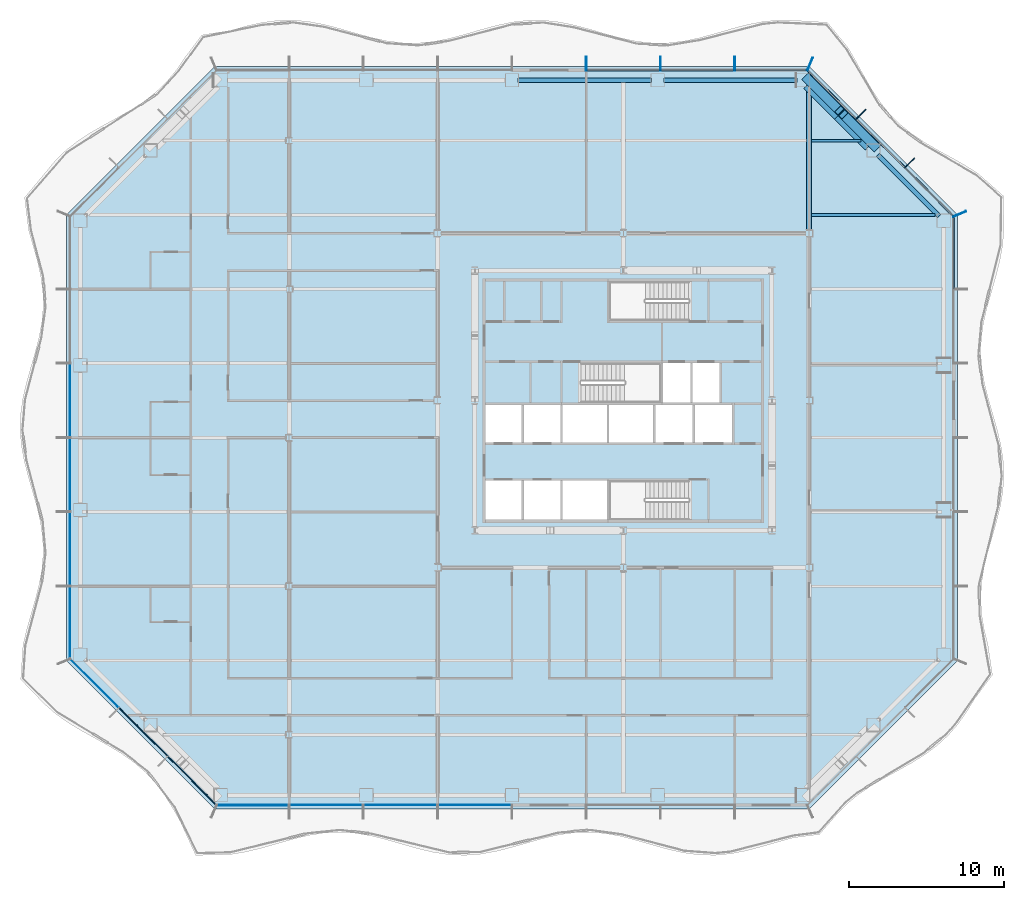
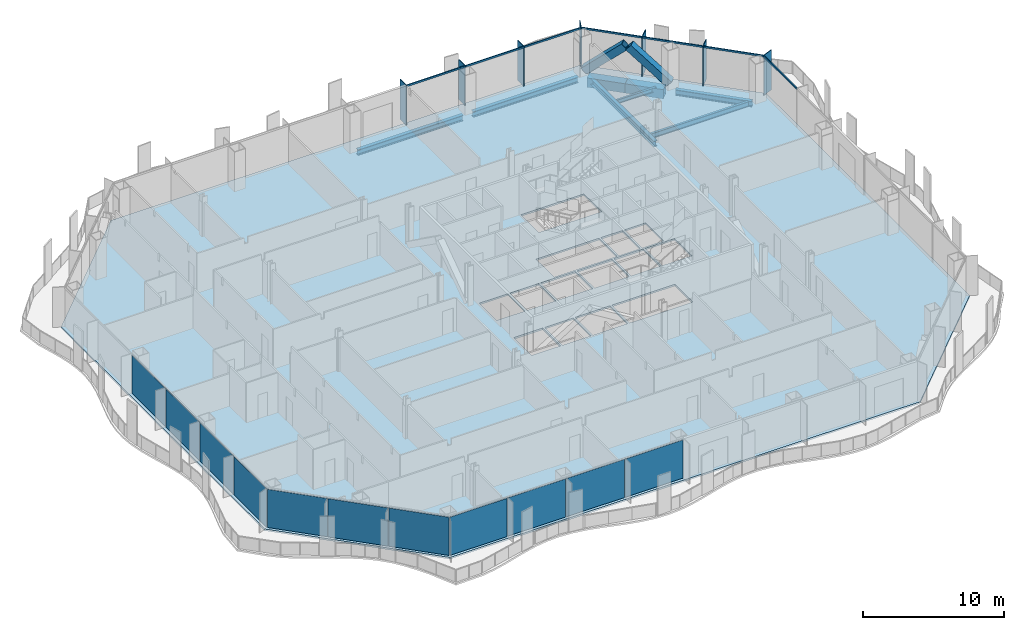
# One storey, part 4 of 17: 16 members, 11 plates, 8 beams, 1 slab, 6 elements without a shape of their own.
"""IFC4 building model written with IfcOpenShell, lengths in metres."""

from ifc_helpers import new_model, si_unit, direction, frame, origin, origin_2d, place, context, subcontext, project, spatial, polyline, rectangle, hollow_rectangle, i_section, outline, extrude, material, layer, layer_set, material_profile, profile_set, type_object, element, aggregate, save


model = new_model("IFC4")

# Units and contexts
model_context = context("Model", 3, precision=1e-05, world=origin(), true_north=direction((0.0, 1.0)))
body_context = subcontext(model_context, "Body", "Model", "MODEL_VIEW")
ifc_project = project(units=[si_unit("LENGTHUNIT", "METRE"), si_unit("AREAUNIT", "SQUARE_METRE"), si_unit("VOLUMEUNIT", "CUBIC_METRE"), si_unit("PLANEANGLEUNIT", "RADIAN"), si_unit("MASSUNIT", "GRAM", prefix="KILO")], contexts=[model_context])

# Site, building, storey
site_placement = place(None, origin())
site = spatial("IfcSite", under=ifc_project, at=site_placement, CompositionType="ELEMENT")
building_placement = place(site_placement, origin())
building = spatial("IfcBuilding", under=site, at=building_placement, Name="Cairn Pilgrim Tower", CompositionType="ELEMENT")
storey_placement = place(building_placement, frame((0.0, 0.0, 79.800048828125)))
storey = spatial("IfcBuildingStorey", under=building, at=storey_placement, Name="L18", CompositionType="ELEMENT", Elevation=79.800048828125)

# Members
ifc_material_1 = material(Name="Structural steel S460M", Category="steel")
ifc_material_profile_1 = material_profile(ifc_material_1, hollow_rectangle(XDim=0.60009765625, YDim=0.60009765625, WallThickness=0.034912109375, at=origin_2d()), Name="BOX 600x600x35")
ifc_profile_set_1 = profile_set([ifc_material_profile_1], Name="Structural steel S460M")
member_type_1 = type_object("IfcMemberType", Name="BOX 600x600x35 BRACE", PredefinedType="BRACE", material=ifc_profile_set_1)
for number, where, z_axis, x_axis, name in (
    (1, (23.4873046875, 18.814697265625, 0.14990234375), (-0.528939327604, 0.528877844478, 0.663710338426), (-0.70706568108, -0.707147878904, 0.0), "XB-NE2-N1-1"),
    (2, (19.078125, 23.2236328125, 0.14990234375), (0.52892212789, -0.52892212789, 0.663688756314), (0.707106781187, 0.707106781187, 0.0), "XB-NE2-N1-2"),
):
    element("IfcMember", number, at=place(storey_placement, frame(where, z_axis=z_axis, x_axis=x_axis)), inside=storey, type_object=member_type_1, Name=name, PredefinedType="BRACE", context=body_context, shape_type="SweptSolid", body=[
        extrude(hollow_rectangle(XDim=0.60009765625, YDim=0.60009765625, WallThickness=0.034912109375, at=origin_2d()), origin(), (0.0, 0.0, 1.0), 3.970947265625),
    ])

# Beams
ifc_material_2 = material(Name="Structural steel S355J2", Category="steel")
ifc_material_profile_2 = material_profile(ifc_material_2, hollow_rectangle(XDim=0.699951171875, YDim=0.800048828125, WallThickness=0.0400390625, at=origin_2d()), Name="BOX 700x800x40")
ifc_profile_set_2 = profile_set([ifc_material_profile_2], Name="Structural steel S355J2")
beam_type_1 = type_object("IfcBeamType", Name="BOX 700x800x40 RING GIRDER", PredefinedType="SPANDREL", material=ifc_profile_set_2)
beam_1_placement = place(storey_placement, frame((23.0771484375, 18.85009765625, -0.550048828125), z_axis=(-0.707106781187, 0.707106781187, 0.0), x_axis=(-0.707106781187, -0.707106781187, 0.0)))
element("IfcBeam", 3, at=beam_1_placement, inside=storey, type_object=beam_type_1, Name="RG1-NE2-N1-1", PredefinedType="SPANDREL", context=body_context, shape_type="SweptSolid", body=[
    extrude(hollow_rectangle(XDim=0.699951171875, YDim=0.800048828125, WallThickness=0.0400390625, at=origin_2d()), origin(), (0.0, 0.0, 1.0), 2.802490234375),
])
beam_2_placement = place(storey_placement, frame((21.095458984375, 20.831787109375, -0.550048828125), z_axis=(-0.707106781187, 0.707106781187, 0.0), x_axis=(-0.707106781187, -0.707106781187, 0.0)))
element("IfcBeam", 4, at=beam_2_placement, inside=storey, type_object=beam_type_1, Name="RG1-NE2-N1-2", PredefinedType="SPANDREL", context=body_context, shape_type="SweptSolid", body=[
    extrude(hollow_rectangle(XDim=0.699951171875, YDim=0.800048828125, WallThickness=0.0400390625, at=origin_2d()), origin(), (0.0, 0.0, 1.0), 2.802978515625),
])

# Curtain wall, members
ifc_material_3 = material(Name="Aluminium alloy 6063-T6 bronze anodised with Bronze tinted laminated low-E glass 8+16+8.8", Category="aluminium")
curtain_wall_type_1 = type_object("IfcCurtainWallType", Name="CHAMFER CORNER CURTAIN WALL", PredefinedType="NOTDEFINED", material=ifc_material_3)
curtain_wall_1_placement = place(storey_placement, origin())
curtain_wall_1 = element("IfcCurtainWall", 5, at=curtain_wall_1_placement, inside=storey, type_object=curtain_wall_type_1, Name="Chamfer Corner Curtain Wall NE", PredefinedType="NOTDEFINED")
ifc_material_4 = material(Name="Aluminium alloy 6063-T6 bronze anodised", Category="aluminium")
ifc_material_profile_3 = material_profile(ifc_material_4, rectangle(XDim=0.89990234375, YDim=0.06005859375, at=origin_2d()), Name="FIN MULLION 60x900 BRONZE")
ifc_profile_set_3 = profile_set([ifc_material_profile_3], Name="Aluminium alloy 6063-T6 bronze anodised")
member_type_2 = type_object("IfcMemberType", Name="FIN MULLION 60x900 BRONZE", PredefinedType="MULLION", material=ifc_profile_set_3)
member_1_placement = place(storey_placement, frame((28.93798828125, 14.457275390625, 0.0), z_axis=(0.0, 0.0, 1.0), x_axis=(0.923879532511, 0.382683432365, 0.0)))
member_1 = element("IfcMember", 6, at=member_1_placement, type_object=member_type_2, Name="Fin mullion NE1", PredefinedType="MULLION", context=body_context, shape_type="SweptSolid", body=[
    extrude(rectangle(XDim=0.89990234375, YDim=0.06005859375, at=origin_2d()), origin(), (0.0, 0.0, 1.0), 3.449951171875),
])
member_2_placement = place(storey_placement, frame((25.69580078125, 17.74462890625, 0.0), z_axis=(0.0, 0.0, 1.0), x_axis=(0.707106781187, 0.707106781187, 0.0)))
member_2 = element("IfcMember", 7, at=member_2_placement, type_object=member_type_2, Name="Fin mullion NE2", PredefinedType="MULLION", context=body_context, shape_type="SweptSolid", body=[
    extrude(rectangle(XDim=0.89990234375, YDim=0.06005859375, at=origin_2d()), origin(), (0.0, 0.0, 1.0), 3.449951171875),
])
member_3_placement = place(storey_placement, frame((22.544677734375, 20.895751953125, 0.0), z_axis=(0.0, 0.0, 1.0), x_axis=(0.707106781187, 0.707106781187, 0.0)))
member_3 = element("IfcMember", 8, at=member_3_placement, type_object=member_type_2, Name="Fin mullion NE3", PredefinedType="MULLION", context=body_context, shape_type="SweptSolid", body=[
    extrude(rectangle(XDim=0.89990234375, YDim=0.06005859375, at=origin_2d()), origin(), (0.0, 0.0, 1.0), 3.449951171875),
])

curtain_wall_type_2 = type_object("IfcCurtainWallType", Name="TOWER STICK CURTAIN WALL NS", PredefinedType="NOTDEFINED", material=ifc_material_3)
curtain_wall_2_placement = place(storey_placement, origin())
curtain_wall_2 = element("IfcCurtainWall", 9, at=curtain_wall_2_placement, inside=storey, type_object=curtain_wall_type_2, Name="Tower Stick Curtain Wall Ns N", PredefinedType="NOTDEFINED")
member_4_placement = place(storey_placement, frame((19.257080078125, 24.137939453125, 0.0), z_axis=(0.0, 0.0, 1.0), x_axis=(0.382683432365, 0.923879532511, 0.0)))
member_4 = element("IfcMember", 10, at=member_4_placement, type_object=member_type_2, Name="Fin mullion N1", PredefinedType="MULLION", context=body_context, shape_type="SweptSolid", body=[
    extrude(rectangle(XDim=0.89990234375, YDim=0.06005859375, at=origin_2d()), origin(), (0.0, 0.0, 1.0), 3.449951171875),
])
member_5_placement = place(storey_placement, frame((14.39990234375, 24.169921875, 0.0), z_axis=(0.0, 0.0, 1.0), x_axis=(0.0, 1.0, 0.0)))
member_5 = element("IfcMember", 11, at=member_5_placement, type_object=member_type_2, Name="Fin mullion N2", PredefinedType="MULLION", context=body_context, shape_type="SweptSolid", body=[
    extrude(rectangle(XDim=0.89990234375, YDim=0.06005859375, at=origin_2d()), origin(), (0.0, 0.0, 1.0), 3.449951171875),
])
member_6_placement = place(storey_placement, frame((9.60009765625, 24.169921875, 0.0), z_axis=(0.0, 0.0, 1.0), x_axis=(0.0, 1.0, 0.0)))
member_6 = element("IfcMember", 12, at=member_6_placement, type_object=member_type_2, Name="Fin mullion N3", PredefinedType="MULLION", context=body_context, shape_type="SweptSolid", body=[
    extrude(rectangle(XDim=0.89990234375, YDim=0.06005859375, at=origin_2d()), origin(), (0.0, 0.0, 1.0), 3.449951171875),
])
member_7_placement = place(storey_placement, frame((4.800048828125, 24.169921875, 0.0), z_axis=(0.0, 0.0, 1.0), x_axis=(0.0, 1.0, 0.0)))
member_7 = element("IfcMember", 13, at=member_7_placement, type_object=member_type_2, Name="Fin mullion N4", PredefinedType="MULLION", context=body_context, shape_type="SweptSolid", body=[
    extrude(rectangle(XDim=0.89990234375, YDim=0.06005859375, at=origin_2d()), origin(), (0.0, 0.0, 1.0), 3.449951171875),
])

# Beams
ifc_material_profile_4 = material_profile(ifc_material_2, i_section(OverallWidth=0.300048828125, OverallDepth=0.5, WebThickness=0.014404296875, FlangeThickness=0.028076171875, FilletRadius=0.027099609375, at=origin_2d()), Name="HEB 500")
ifc_profile_set_4 = profile_set([ifc_material_profile_4], Name="Structural steel S355J2")
beam_type_2 = type_object("IfcBeamType", Name="HEB 500 GIRDER", PredefinedType="BEAM", material=ifc_profile_set_4)
beam_3_placement = place(storey_placement, frame((19.199951171875, 13.412109375, -0.400146484375), z_axis=(0.0, 1.0, 0.0), x_axis=(-1.0, 0.0, 0.0)))
element("IfcBeam", 14, at=beam_3_placement, inside=storey, type_object=beam_type_2, Name="PG4-4", PredefinedType="BEAM", context=body_context, shape_type="SweptSolid", body=[
    extrude(i_section(OverallWidth=0.300048828125, OverallDepth=0.5, WebThickness=0.014404296875, FlangeThickness=0.028076171875, FilletRadius=0.027099609375, at=origin_2d()), origin(), (0.0, 0.0, 1.0), 9.133056640625),
])
ifc_material_profile_5 = material_profile(ifc_material_2, i_section(OverallWidth=0.300048828125, OverallDepth=0.5, WebThickness=0.014404296875, FlangeThickness=0.028076171875, FilletRadius=0.027099609375, at=origin_2d()), Name="HEB 500")
ifc_profile_set_5 = profile_set([ifc_material_profile_5], Name="Structural steel S355J2")
beam_type_3 = type_object("IfcBeamType", Name="HEB 500 RING GIRDER", PredefinedType="SPANDREL", material=ifc_profile_set_5)
beam_4_placement = place(storey_placement, frame((27.613525390625, 14.313720703125, -0.400146484375), z_axis=(-0.707128558756, 0.707085002947, 0.0), x_axis=(-0.707085002947, -0.707128558756, 0.0)))
element("IfcBeam", 15, at=beam_4_placement, inside=storey, type_object=beam_type_3, Name="RG1-NE1-NE2", PredefinedType="SPANDREL", context=body_context, shape_type="SweptSolid", body=[
    extrude(i_section(OverallWidth=0.300048828125, OverallDepth=0.5, WebThickness=0.014404296875, FlangeThickness=0.028076171875, FilletRadius=0.027099609375, at=origin_2d()), origin(), (0.0, 0.0, 1.0), 5.605224609375),
])
for number, where, z_axis, x_axis, name in (
    (16, (18.422119140625, 23.10009765625, -0.400146484375), (-1.0, 0.0, 0.0), (0.0, -1.0, 0.0), "RG1-N1-N2"),
    (17, (9.008544921875, 23.10009765625, -0.400146484375), (-1.0, 0.0, 0.0), (0.0, -1.0, 0.0), "RG1-N2-N3"),
):
    element("IfcBeam", number, at=place(storey_placement, frame(where, z_axis=z_axis, x_axis=x_axis)), inside=storey, type_object=beam_type_3, Name=name, PredefinedType="SPANDREL", context=body_context, shape_type="SweptSolid", body=[
        extrude(i_section(OverallWidth=0.300048828125, OverallDepth=0.5, WebThickness=0.014404296875, FlangeThickness=0.028076171875, FilletRadius=0.027099609375, at=origin_2d()), origin(), (0.0, 0.0, 1.0), 8.603515625),
    ])
ifc_material_profile_6 = material_profile(ifc_material_2, i_section(OverallWidth=0.169921875, OverallDepth=0.360107421875, WebThickness=0.008056640625, FlangeThickness=0.0126953125, FilletRadius=0.01806640625, at=origin_2d()), Name="IPE 360")
ifc_profile_set_6 = profile_set([ifc_material_profile_6], Name="Structural steel S355J2")
beam_type_4 = type_object("IfcBeamType", Name="IPE 360 SECONDARY BEAM", PredefinedType="JOIST", material=ifc_profile_set_6)
beam_5_placement = place(storey_placement, frame((19.35009765625, 19.199951171875, -0.330078125), z_axis=(1.0, 0.0, 0.0), x_axis=(0.0, 1.0, 0.0)))
element("IfcBeam", 18, at=beam_5_placement, inside=storey, type_object=beam_type_4, Name="SB9-5", PredefinedType="JOIST", context=body_context, shape_type="SweptSolid", body=[
    extrude(i_section(OverallWidth=0.169921875, OverallDepth=0.360107421875, WebThickness=0.008056640625, FlangeThickness=0.0126953125, FilletRadius=0.01806640625, at=origin_2d()), origin(), (0.0, 0.0, 1.0), 3.195068359375),
])
ifc_material_profile_7 = material_profile(ifc_material_2, i_section(OverallWidth=0.18994140625, OverallDepth=0.449951171875, WebThickness=0.009521484375, FlangeThickness=0.0146484375, FilletRadius=0.02099609375, at=origin_2d()), Name="IPE 450")
ifc_profile_set_7 = profile_set([ifc_material_profile_7], Name="Structural steel S355J2")
beam_type_5 = type_object("IfcBeamType", Name="IPE 450 SECONDARY BEAM", PredefinedType="JOIST", material=ifc_profile_set_7)
beam_6_placement = place(storey_placement, frame((19.35009765625, 14.39990234375, -0.375), z_axis=(1.0, 0.0, 0.0), x_axis=(0.0, 1.0, 0.0)))
element("IfcBeam", 19, at=beam_6_placement, inside=storey, type_object=beam_type_5, Name="SB8-3", PredefinedType="JOIST", context=body_context, shape_type="SweptSolid", body=[
    extrude(i_section(OverallWidth=0.18994140625, OverallDepth=0.449951171875, WebThickness=0.009521484375, FlangeThickness=0.0146484375, FilletRadius=0.02099609375, at=origin_2d()), origin(), (0.0, 0.0, 1.0), 7.9951171875),
])

# Curtain wall, member
curtain_wall_type_3 = type_object("IfcCurtainWallType", Name="TOWER STICK CURTAIN WALL EW", PredefinedType="NOTDEFINED", material=ifc_material_3)
curtain_wall_3_placement = place(storey_placement, origin())
curtain_wall_3 = element("IfcCurtainWall", 20, at=curtain_wall_3_placement, inside=storey, type_object=curtain_wall_type_3, Name="Tower Stick Curtain Wall Ew E", PredefinedType="NOTDEFINED")
ifc_material_profile_8 = material_profile(ifc_material_4, rectangle(XDim=0.080078125, YDim=0.14990234375, at=origin_2d()), Name="TRANSOM 80x150 BRONZE")
ifc_profile_set_8 = profile_set([ifc_material_profile_8], Name="Aluminium alloy 6063-T6 bronze anodised")
member_type_3 = type_object("IfcMemberType", Name="TRANSOM 80x150 BRONZE", PredefinedType="USERDEFINED", material=ifc_profile_set_8)
member_8_placement = place(storey_placement, frame((28.550048828125, 9.6298828125, 3.375), z_axis=(0.0, 1.0, 0.0), x_axis=(-1.0, 0.0, 0.0)))
member_8 = element("IfcMember", 21, at=member_8_placement, type_object=member_type_3, Name="Transom E6", ObjectType="TRANSOM", PredefinedType="USERDEFINED", context=body_context, shape_type="SweptSolid", body=[
    extrude(rectangle(XDim=0.080078125, YDim=0.14990234375, at=origin_2d()), origin(), (0.0, 0.0, 1.0), 4.62646484375),
])
aggregate(curtain_wall_3, [member_8])

# Member
member_9_placement = place(storey_placement, frame((28.521728515625, 14.32470703125, 3.375), z_axis=(-0.707106781187, 0.707106781187, 0.0), x_axis=(-0.707106781187, -0.707106781187, 0.0)))
member_9 = element("IfcMember", 22, at=member_9_placement, type_object=member_type_3, Name="Transom NE1", ObjectType="TRANSOM", PredefinedType="USERDEFINED", context=body_context, shape_type="SweptSolid", body=[
    extrude(rectangle(XDim=0.080078125, YDim=0.14990234375, at=origin_2d()), origin(), (0.0, 0.0, 1.0), 4.38671875),
])

member_10_placement = place(storey_placement, frame((25.377685546875, 17.46875, 3.375), z_axis=(-0.707106781187, 0.707106781187, 0.0), x_axis=(-0.707106781187, -0.707106781187, 0.0)))
member_10 = element("IfcMember", 23, at=member_10_placement, type_object=member_type_3, Name="Transom NE2", ObjectType="TRANSOM", PredefinedType="USERDEFINED", context=body_context, shape_type="SweptSolid", body=[
    extrude(rectangle(XDim=0.080078125, YDim=0.14990234375, at=origin_2d()), origin(), (0.0, 0.0, 1.0), 4.396728515625),
])

member_11_placement = place(storey_placement, frame((22.226318359375, 20.6201171875, 3.375), z_axis=(-0.707106781187, 0.707106781187, 0.0), x_axis=(-0.707106781187, -0.707106781187, 0.0)))
member_11 = element("IfcMember", 24, at=member_11_placement, type_object=member_type_3, Name="Transom NE3", ObjectType="TRANSOM", PredefinedType="USERDEFINED", context=body_context, shape_type="SweptSolid", body=[
    extrude(rectangle(XDim=0.080078125, YDim=0.14990234375, at=origin_2d()), origin(), (0.0, 0.0, 1.0), 4.38623046875),
])

aggregate(curtain_wall_1, [member_1, member_2, member_3, member_9, member_10, member_11])

member_12_placement = place(storey_placement, frame((19.056396484375, 23.75, 3.375), z_axis=(-1.0, 0.0, 0.0), x_axis=(0.0, -1.0, 0.0)))
member_12 = element("IfcMember", 25, at=member_12_placement, type_object=member_type_3, Name="Transom N1", ObjectType="TRANSOM", PredefinedType="USERDEFINED", context=body_context, shape_type="SweptSolid", body=[
    extrude(rectangle(XDim=0.080078125, YDim=0.14990234375, at=origin_2d()), origin(), (0.0, 0.0, 1.0), 4.62646484375),
])

member_13_placement = place(storey_placement, frame((14.3701171875, 23.75, 3.375), z_axis=(-1.0, 0.0, 0.0), x_axis=(0.0, -1.0, 0.0)))
member_13 = element("IfcMember", 26, at=member_13_placement, type_object=member_type_3, Name="Transom N2", ObjectType="TRANSOM", PredefinedType="USERDEFINED", context=body_context, shape_type="SweptSolid", body=[
    extrude(rectangle(XDim=0.080078125, YDim=0.14990234375, at=origin_2d()), origin(), (0.0, 0.0, 1.0), 4.740234375),
])

member_14_placement = place(storey_placement, frame((9.570068359375, 23.75, 3.375), z_axis=(-1.0, 0.0, 0.0), x_axis=(0.0, -1.0, 0.0)))
member_14 = element("IfcMember", 27, at=member_14_placement, type_object=member_type_3, Name="Transom N3", ObjectType="TRANSOM", PredefinedType="USERDEFINED", context=body_context, shape_type="SweptSolid", body=[
    extrude(rectangle(XDim=0.080078125, YDim=0.14990234375, at=origin_2d()), origin(), (0.0, 0.0, 1.0), 4.739990234375),
])

aggregate(curtain_wall_2, [member_4, member_5, member_6, member_7, member_12, member_13, member_14])

# Slab
ifc_material_5 = material(Name="Concrete C35/45", Category="concrete")
ifc_layer_1 = layer(ifc_material_5, 0.14990234375)
ifc_layer_set_1 = layer_set([ifc_layer_1], Name="COMPOSITE FLOOR SLAB 150")
slab_type = type_object("IfcSlabType", Name="COMPOSITE FLOOR SLAB 150", PredefinedType="FLOOR", material=ifc_layer_set_1)
slab_placement = place(storey_placement, frame((0.0, 0.0, -0.150146484375)))
element("IfcSlab", 28, at=slab_placement, inside=storey, type_object=slab_type, Name="FLOOR SLAB L18", PredefinedType="FLOOR", context=body_context, shape_type="SweptSolid", body=[
    extrude(outline(polyline([(-19.199951171875, -24.0), (19.199951171875, -24.0), (28.800048828125, -14.39990234375), (28.800048828125, 14.39990234375), (19.199951171875, 24.0), (-19.199951171875, 24.0), (-28.800048828125, 14.39990234375), (-28.800048828125, -14.39990234375), (-19.199951171875, -24.0)]), holes=[polyline([(-1.72509765625, -5.300048828125), (0.625, -5.300048828125), (0.625, -2.77490234375), (-1.72509765625, -2.77490234375), (-1.72509765625, -5.300048828125)]), polyline([(0.77490234375, -5.300048828125), (3.125, -5.300048828125), (3.125, -2.77490234375), (0.77490234375, -2.77490234375), (0.77490234375, -5.300048828125)]), polyline([(-1.72509765625, -0.324951171875), (0.625, -0.324951171875), (0.625, 2.125), (-1.72509765625, 2.125), (-1.72509765625, -0.324951171875)]), polyline([(0.77490234375, -0.324951171875), (3.125, -0.324951171875), (3.125, 2.125), (0.77490234375, 2.125), (0.77490234375, -0.324951171875)]), polyline([(3.27490234375, -5.300048828125), (6.125, -5.300048828125), (6.125, -2.77490234375), (3.27490234375, -2.77490234375), (3.27490234375, -5.300048828125)]), polyline([(3.27490234375, -0.324951171875), (6.125, -0.324951171875), (6.125, 2.125), (3.27490234375, 2.125), (3.27490234375, -0.324951171875)]), polyline([(6.27490234375, -0.324951171875), (9.125, -0.324951171875), (9.125, 2.125), (6.27490234375, 2.125), (6.27490234375, -0.324951171875)]), polyline([(9.27490234375, -0.324951171875), (11.675048828125, -0.324951171875), (11.675048828125, 2.125), (9.27490234375, 2.125), (9.27490234375, -0.324951171875)]), polyline([(11.824951171875, -0.324951171875), (14.22509765625, -0.324951171875), (14.22509765625, 2.125), (11.824951171875, 2.125), (11.824951171875, -0.324951171875)]), polyline([(9.77490234375, 2.27490234375), (11.52490234375, 2.27490234375), (11.52490234375, 4.824951171875), (9.77490234375, 4.824951171875), (9.77490234375, 2.27490234375)]), polyline([(11.675048828125, 2.27490234375), (13.425048828125, 2.27490234375), (13.425048828125, 4.824951171875), (11.675048828125, 4.824951171875), (11.675048828125, 2.27490234375)]), polyline([(11.424560546875, -2.77490234375), (6.27490234375, -2.77490234375), (6.27490234375, -5.300048828125), (11.424560546875, -5.300048828125), (11.424560546875, -2.77490234375)]), polyline([(4.4755859375, 2.27490234375), (9.625, 2.27490234375), (9.625, 4.824951171875), (4.4755859375, 4.824951171875), (4.4755859375, 2.27490234375)]), polyline([(11.424560546875, 10.10009765625), (6.27490234375, 10.10009765625), (6.27490234375, 7.574951171875), (11.424560546875, 7.574951171875), (11.424560546875, 10.10009765625)])]), origin(), (0.0, 0.0, 1.0), 0.150146484375),
])

# Curtain wall, plates
curtain_wall_4_placement = place(storey_placement, origin())
curtain_wall_4 = element("IfcCurtainWall", 29, at=curtain_wall_4_placement, inside=storey, type_object=curtain_wall_type_1, Name="Chamfer Corner Curtain Wall SW", PredefinedType="NOTDEFINED")
ifc_material_6 = material(Name="Bronze anodised aluminium spandrel panel with mineral wool insulation", Category="aluminium")
ifc_layer_2 = layer(ifc_material_6, 0.06005859375)
ifc_layer_set_2 = layer_set([ifc_layer_2], Name="SPANDREL PANEL 4386x3300")
plate_type_1 = type_object("IfcPlateType", Name="SPANDREL PANEL 4386x3300", PredefinedType="CURTAIN_PANEL", material=ifc_layer_set_2)
plate_1_placement = place(storey_placement, frame((-20.675537109375, -22.1708984375, 0.0), z_axis=(0.0, 0.0, 1.0), x_axis=(0.707106781187, -0.707106781187, 0.0)))
plate_1 = element("IfcPlate", 30, at=plate_1_placement, type_object=plate_type_1, Name="Spandrel Panel SW3-1", PredefinedType="CURTAIN_PANEL", context=body_context, shape_type="SweptSolid", body=[
    extrude(rectangle(XDim=4.386474609375, YDim=0.06005859375, at=origin_2d()), origin(), (0.0, 0.0, 1.0), 3.300048828125),
])
ifc_layer_3 = layer(ifc_material_6, 0.06005859375)
ifc_layer_set_3 = layer_set([ifc_layer_3], Name="SPANDREL PANEL 4396x3300")
plate_type_2 = type_object("IfcPlateType", Name="SPANDREL PANEL 4396x3300", PredefinedType="CURTAIN_PANEL", material=ifc_layer_set_3)
plate_2_placement = place(storey_placement, frame((-23.8232421875, -19.023193359375, 0.0), z_axis=(0.0, 0.0, 1.0), x_axis=(0.707106781187, -0.707106781187, 0.0)))
plate_2 = element("IfcPlate", 31, at=plate_2_placement, type_object=plate_type_2, Name="Spandrel Panel SW2-1", PredefinedType="CURTAIN_PANEL", context=body_context, shape_type="SweptSolid", body=[
    extrude(rectangle(XDim=4.396484375, YDim=0.06005859375, at=origin_2d()), origin(), (0.0, 0.0, 1.0), 3.300048828125),
])

# Curtain wall, plate
curtain_wall_5_placement = place(storey_placement, origin())
curtain_wall_5 = element("IfcCurtainWall", 32, at=curtain_wall_5_placement, inside=storey, type_object=curtain_wall_type_2, Name="Tower Stick Curtain Wall Ns S", PredefinedType="NOTDEFINED")
ifc_layer_4 = layer(ifc_material_6, 0.06005859375)
ifc_layer_set_4 = layer_set([ifc_layer_4], Name="SPANDREL PANEL 4626x3300")
plate_type_3 = type_object("IfcPlateType", Name="SPANDREL PANEL 4626x3300", PredefinedType="CURTAIN_PANEL", material=ifc_layer_set_4)
plate_3_placement = place(storey_placement, frame((-16.7431640625, -23.75, 0.0), z_axis=(0.0, 0.0, 1.0), x_axis=(1.0, 0.0, 0.0)))
plate_3 = element("IfcPlate", 33, at=plate_3_placement, type_object=plate_type_3, Name="Spandrel Panel S1-1", PredefinedType="CURTAIN_PANEL", context=body_context, shape_type="SweptSolid", body=[
    extrude(rectangle(XDim=4.62646484375, YDim=0.06005859375, at=origin_2d()), origin(), (0.0, 0.0, 1.0), 3.300048828125),
])

# Plate
ifc_material_7 = material(Name="Bronze tinted laminated low-E glass 8+16+8.8", Category="glass")
ifc_layer_5 = layer(ifc_material_7, 0.033935546875)
ifc_layer_set_5 = layer_set([ifc_layer_5], Name="VISION GLAZING 4386x3300")
plate_type_4 = type_object("IfcPlateType", Name="VISION GLAZING 4386x3300", PredefinedType="CURTAIN_PANEL", material=ifc_layer_set_5)
plate_4_placement = place(storey_placement, frame((-26.970947265625, -15.87548828125, 0.0), z_axis=(0.0, 0.0, 1.0), x_axis=(0.707106781187, -0.707106781187, 0.0)))
plate_4 = element("IfcPlate", 34, at=plate_4_placement, type_object=plate_type_4, Name="Vision Glazing SW1-1", PredefinedType="CURTAIN_PANEL", context=body_context, shape_type="SweptSolid", body=[
    extrude(rectangle(XDim=4.386474609375, YDim=0.033935546875, at=origin_2d()), origin(), (0.0, 0.0, 1.0), 3.300048828125),
])

aggregate(curtain_wall_4, [plate_4, plate_2, plate_1])

# Curtain wall, plate
curtain_wall_6_placement = place(storey_placement, origin())
curtain_wall_6 = element("IfcCurtainWall", 35, at=curtain_wall_6_placement, inside=storey, type_object=curtain_wall_type_3, Name="Tower Stick Curtain Wall Ew W", PredefinedType="NOTDEFINED")
ifc_layer_6 = layer(ifc_material_7, 0.033935546875)
ifc_layer_set_6 = layer_set([ifc_layer_6], Name="VISION GLAZING 4626x3300")
plate_type_5 = type_object("IfcPlateType", Name="VISION GLAZING 4626x3300", PredefinedType="CURTAIN_PANEL", material=ifc_layer_set_6)
plate_5_placement = place(storey_placement, frame((-28.550048828125, -11.943115234375, 0.0), z_axis=(0.0, 0.0, 1.0), x_axis=(0.0, -1.0, 0.0)))
plate_5 = element("IfcPlate", 36, at=plate_5_placement, type_object=plate_type_5, Name="Vision Glazing W6-1", PredefinedType="CURTAIN_PANEL", context=body_context, shape_type="SweptSolid", body=[
    extrude(rectangle(XDim=4.62646484375, YDim=0.033935546875, at=origin_2d()), origin(), (0.0, 0.0, 1.0), 3.300048828125),
])

# Plate
ifc_layer_7 = layer(ifc_material_7, 0.033935546875)
ifc_layer_set_7 = layer_set([ifc_layer_7], Name="VISION GLAZING 4740x3300")
plate_type_6 = type_object("IfcPlateType", Name="VISION GLAZING 4740x3300", PredefinedType="CURTAIN_PANEL", material=ifc_layer_set_7)
plate_6_placement = place(storey_placement, frame((-12.0, -23.75, 0.0), z_axis=(0.0, 0.0, 1.0), x_axis=(1.0, 0.0, 0.0)))
plate_6 = element("IfcPlate", 37, at=plate_6_placement, type_object=plate_type_6, Name="Vision Glazing S2-1", PredefinedType="CURTAIN_PANEL", context=body_context, shape_type="SweptSolid", body=[
    extrude(rectangle(XDim=4.739990234375, YDim=0.033935546875, at=origin_2d()), origin(), (0.0, 0.0, 1.0), 3.300048828125),
])

plate_7_placement = place(storey_placement, frame((-7.199951171875, -23.75, 0.0), z_axis=(0.0, 0.0, 1.0), x_axis=(1.0, 0.0, 0.0)))
plate_7 = element("IfcPlate", 38, at=plate_7_placement, type_object=plate_type_6, Name="Vision Glazing S3-1", PredefinedType="CURTAIN_PANEL", context=body_context, shape_type="SweptSolid", body=[
    extrude(rectangle(XDim=4.739990234375, YDim=0.033935546875, at=origin_2d()), origin(), (0.0, 0.0, 1.0), 3.300048828125),
])

plate_8_placement = place(storey_placement, frame((-2.39990234375, -23.75, 0.0), z_axis=(0.0, 0.0, 1.0), x_axis=(1.0, 0.0, 0.0)))
plate_8 = element("IfcPlate", 39, at=plate_8_placement, type_object=plate_type_6, Name="Vision Glazing S4-1", PredefinedType="CURTAIN_PANEL", context=body_context, shape_type="SweptSolid", body=[
    extrude(rectangle(XDim=4.739990234375, YDim=0.033935546875, at=origin_2d()), origin(), (0.0, 0.0, 1.0), 3.300048828125),
])

aggregate(curtain_wall_5, [plate_3, plate_6, plate_7, plate_8])

plate_9_placement = place(storey_placement, frame((-28.550048828125, 2.39990234375, 0.0), z_axis=(0.0, 0.0, 1.0), x_axis=(0.0, -1.0, 0.0)))
plate_9 = element("IfcPlate", 40, at=plate_9_placement, type_object=plate_type_6, Name="Vision Glazing W3-1", PredefinedType="CURTAIN_PANEL", context=body_context, shape_type="SweptSolid", body=[
    extrude(rectangle(XDim=4.739990234375, YDim=0.033935546875, at=origin_2d()), origin(), (0.0, 0.0, 1.0), 3.300048828125),
])

plate_10_placement = place(storey_placement, frame((-28.550048828125, -2.39990234375, 0.0), z_axis=(0.0, 0.0, 1.0), x_axis=(0.0, -1.0, 0.0)))
plate_10 = element("IfcPlate", 41, at=plate_10_placement, type_object=plate_type_6, Name="Vision Glazing W4-1", PredefinedType="CURTAIN_PANEL", context=body_context, shape_type="SweptSolid", body=[
    extrude(rectangle(XDim=4.739990234375, YDim=0.033935546875, at=origin_2d()), origin(), (0.0, 0.0, 1.0), 3.300048828125),
])

plate_11_placement = place(storey_placement, frame((-28.550048828125, -7.199951171875, 0.0), z_axis=(0.0, 0.0, 1.0), x_axis=(0.0, -1.0, 0.0)))
plate_11 = element("IfcPlate", 42, at=plate_11_placement, type_object=plate_type_6, Name="Vision Glazing W5-1", PredefinedType="CURTAIN_PANEL", context=body_context, shape_type="SweptSolid", body=[
    extrude(rectangle(XDim=4.739990234375, YDim=0.033935546875, at=origin_2d()), origin(), (0.0, 0.0, 1.0), 3.300048828125),
])

aggregate(curtain_wall_6, [plate_9, plate_10, plate_11, plate_5])

save(model, "model.ifc")
